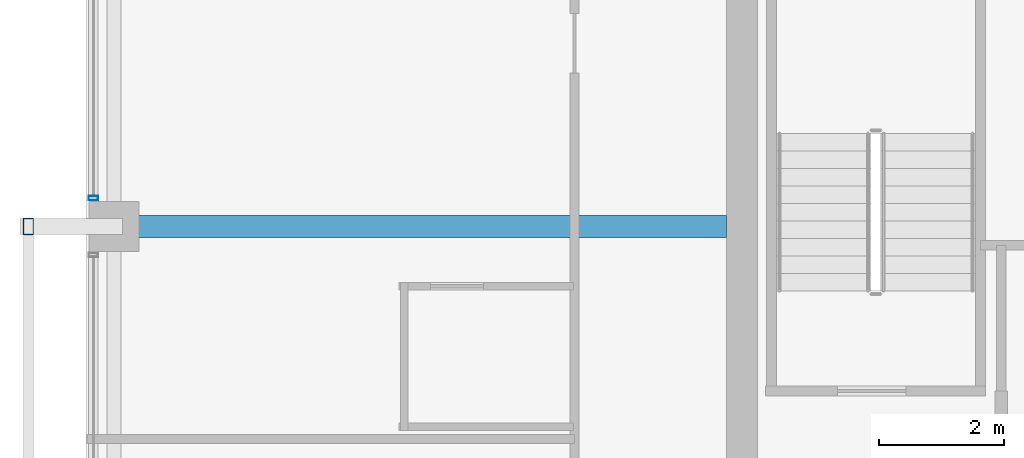
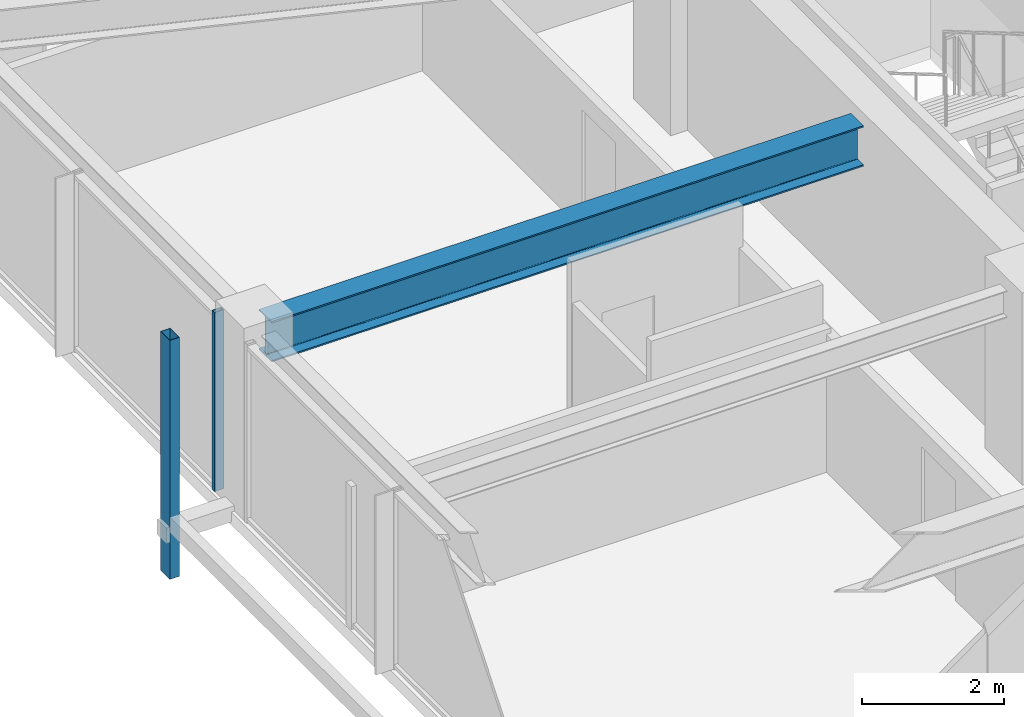
# One storey, part 10 of 38: 2 members, 1 beam, 1 element without a shape of its own.
"""IFC4 building model written with IfcOpenShell, lengths in metres."""

from ifc_helpers import new_model, si_unit, direction, frame, origin, origin_2d, place, context, subcontext, project, spatial, hollow_rectangle, i_section, extrude, material, material_profile, profile_set, type_object, element, aggregate, save


model = new_model("IFC4")

# Units and contexts
model_context = context("Model", 3, precision=1e-05, world=origin(), true_north=direction((0.0, 1.0)))
body_context = subcontext(model_context, "Body", "Model", "MODEL_VIEW")
ifc_project = project(units=[si_unit("LENGTHUNIT", "METRE"), si_unit("AREAUNIT", "SQUARE_METRE"), si_unit("VOLUMEUNIT", "CUBIC_METRE"), si_unit("PLANEANGLEUNIT", "RADIAN"), si_unit("MASSUNIT", "GRAM", prefix="KILO")], contexts=[model_context])

# Site, building, storey
site_placement = place(None, origin())
site = spatial("IfcSite", under=ifc_project, at=site_placement, CompositionType="ELEMENT")
building_placement = place(site_placement, origin())
building = spatial("IfcBuilding", under=site, at=building_placement, Name="Kolvaren Belvedere", CompositionType="ELEMENT")
storey_placement = place(building_placement, frame((0.0, 0.0, 206.39990234375)))
storey = spatial("IfcBuildingStorey", under=building, at=storey_placement, Name="L60", CompositionType="ELEMENT", Elevation=206.39990234375)

# Beam
ifc_material_1 = material(Name="Structural steel ASTM A992 Grade 50", Category="steel")
ifc_material_profile_1 = material_profile(ifc_material_1, i_section(OverallWidth=0.35498046875, OverallDepth=0.696044921875, WebThickness=0.015380859375, FlangeThickness=0.02490234375, FilletRadius=0.02197265625, at=origin_2d()), Name="W27X146")
ifc_profile_set_1 = profile_set([ifc_material_profile_1], Name="Structural steel ASTM A992 Grade 50")
beam_type = type_object("IfcBeamType", Name="BM-GIRD-W27X146", PredefinedType="BEAM", material=ifc_profile_set_1)
beam_placement = place(storey_placement, frame((-10.14990234375, 4.60009765625, 2.732177734375), z_axis=(-1.0, 0.0, 0.0), x_axis=(0.0, -1.0, 0.0)))
element("IfcBeam", 1, at=beam_placement, inside=storey, type_object=beam_type, Name="L60 West Radial Girder P", PredefinedType="BEAM", context=body_context, shape_type="SweptSolid", body=[
    extrude(i_section(OverallWidth=0.35498046875, OverallDepth=0.696044921875, WebThickness=0.015380859375, FlangeThickness=0.02490234375, FilletRadius=0.02197265625, at=origin_2d()), origin(), (0.0, 0.0, 1.0), 9.6201171875),
])

# Curtain wall, member
ifc_material_2 = material(Name="Anodised pale-metal aluminium AA 6063-T6", Category="aluminium")
curtain_wall_type = type_object("IfcCurtainWallType", Name="CW-Z5-HIGH", PredefinedType="NOTDEFINED", material=ifc_material_2)
curtain_wall_placement = place(storey_placement, origin())
curtain_wall = element("IfcCurtainWall", 2, at=curtain_wall_placement, inside=storey, type_object=curtain_wall_type, Name="L60 Unitised Curtain Wall FCW-L60-W-B3", PredefinedType="NOTDEFINED")
ifc_material_3 = material(Name="Anodised pale-metal aluminium AA 6063-T6", Category="aluminium")
ifc_material_profile_2 = material_profile(ifc_material_3, hollow_rectangle(XDim=0.070068359375, YDim=0.14990234375, WallThickness=0.004150390625, at=origin_2d()), Name="ALU-MUL-150X70")
ifc_profile_set_2 = profile_set([ifc_material_profile_2], Name="Anodised pale-metal aluminium AA 6063-T6")
member_type_1 = type_object("IfcMemberType", Name="CW-MUL-150", PredefinedType="MULLION", material=ifc_profile_set_2)
member_1_placement = place(storey_placement, frame((-20.280029296875, 5.054931640625, 0.0), z_axis=(0.0, 0.0, 1.0), x_axis=(0.0, 1.0, 0.0)))
member_1 = element("IfcMember", 3, at=member_1_placement, type_object=member_type_1, Name="FCW-L60-W-B3 Unitised Mullion 1", PredefinedType="MULLION", context=body_context, shape_type="SweptSolid", body=[
    extrude(hollow_rectangle(XDim=0.070068359375, YDim=0.14990234375, WallThickness=0.004150390625, at=origin_2d()), origin(), (0.0, 0.0, 1.0), 3.080078125),
])
aggregate(curtain_wall, [member_1])

# Member
ifc_material_4 = material(Name="Anodised pale-metal aluminium AA 6063-T6", Category="aluminium")
ifc_material_profile_3 = material_profile(ifc_material_4, hollow_rectangle(XDim=0.159912109375, YDim=0.260009765625, WallThickness=0.006591796875, at=origin_2d()), Name="ALU-PF-260X160")
ifc_profile_set_3 = profile_set([ifc_material_profile_3], Name="Anodised pale-metal aluminium AA 6063-T6")
member_type_2 = type_object("IfcMemberType", Name="PF-FRAME-260", PredefinedType="USERDEFINED", material=ifc_profile_set_3)
member_2_placement = place(storey_placement, frame((-21.320068359375, 4.60009765625, -0.809814453125), z_axis=(0.0, 0.0, 1.0), x_axis=(1.0, 0.0, 0.0)))
element("IfcMember", 4, at=member_2_placement, inside=storey, type_object=member_type_2, Name="L60 Outboard Picture-Frame Vertical W2", ObjectType="PICTURE FRAME FIN", PredefinedType="USERDEFINED", context=body_context, shape_type="SweptSolid", body=[
    extrude(hollow_rectangle(XDim=0.159912109375, YDim=0.260009765625, WallThickness=0.006591796875, at=origin_2d()), origin(), (0.0, 0.0, 1.0), 4.10986328125),
])

save(model, "model.ifc")
